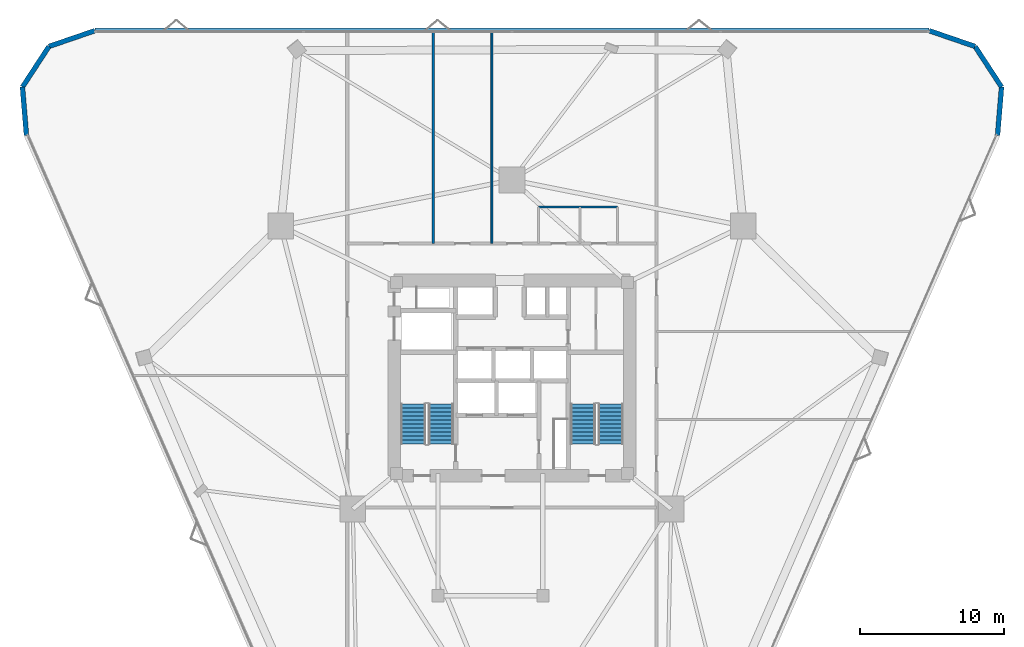
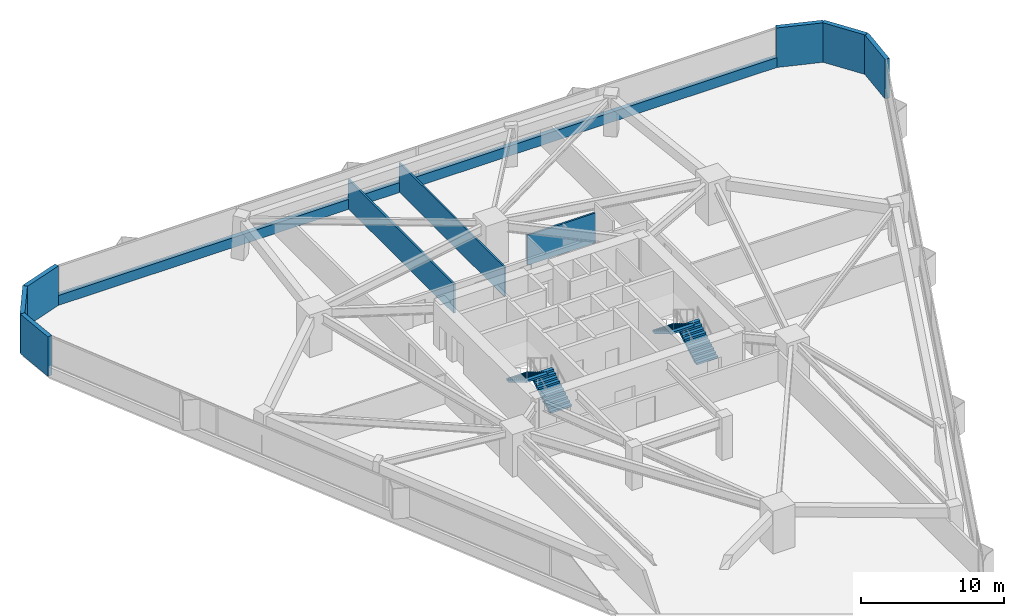
# One storey, part 19 of 20: 10 walls, 4 stair flights, 2 elements without a shape of their own.
"""IFC4 building model written with IfcOpenShell, lengths in metres."""

from ifc_helpers import new_model, si_unit, direction, frame, frame_2d, origin, place, context, subcontext, project, spatial, polyline, rectangle, outline, extrude, material, layer, layer_set, type_object, element, aggregate, save


model = new_model("IFC4")

# Units and contexts
model_context = context("Model", 3, precision=1e-05, world=origin(), true_north=direction((0.0, 1.0)))
body_context = subcontext(model_context, "Body", "Model", "MODEL_VIEW")
ifc_project = project(units=[si_unit("LENGTHUNIT", "METRE"), si_unit("AREAUNIT", "SQUARE_METRE"), si_unit("VOLUMEUNIT", "CUBIC_METRE"), si_unit("PLANEANGLEUNIT", "RADIAN"), si_unit("MASSUNIT", "GRAM", prefix="KILO")], contexts=[model_context])

# Site, building, storey
site_placement = place(None, origin())
site = spatial("IfcSite", under=ifc_project, at=site_placement, CompositionType="ELEMENT")
building_placement = place(site_placement, origin())
building = spatial("IfcBuilding", under=site, at=building_placement, Name="Talyreon Biosciences Tower", CompositionType="ELEMENT")
storey_placement = place(building_placement, frame((0.0, 0.0, 41.050048828125)))
storey = spatial("IfcBuildingStorey", under=building, at=storey_placement, Name="L10", CompositionType="ELEMENT", Elevation=41.050048828125)

# Walls
ifc_material_1 = material(Name="Gypsum acoustic stud partition", Category="gypsum")
ifc_layer_1 = layer(ifc_material_1, 0.159912109375)
ifc_layer_set_1 = layer_set([ifc_layer_1], Name="Gypsum acoustic stud partition")
wall_type_1 = type_object("IfcWallType", Name="LabSeparationPartition_160", PredefinedType="PARTITIONING", material=ifc_layer_set_1)
wall_1_placement = place(storey_placement, frame((60.510009765625, 77.3701171875, 0.0), z_axis=(0.0, 0.0, 1.0), x_axis=(0.0, 1.0, 0.0)))
element("IfcWall", 1, at=wall_1_placement, inside=storey, type_object=wall_type_1, Name="L10 Interior Wall IW-L10-NDIV1", PredefinedType="PARTITIONING", context=body_context, shape_type="SweptSolid", body=[
    extrude(rectangle(XDim=14.732421875, YDim=0.159912109375, at=frame_2d((7.3662109375, 0.0))), origin(), (0.0, 0.0, 1.0), 2.5048828125),
])
ifc_layer_2 = layer(ifc_material_1, 0.1298828125)
ifc_layer_set_2 = layer_set([ifc_layer_2], Name="Gypsum acoustic stud partition")
wall_type_2 = type_object("IfcWallType", Name="OfficeWriteupPartition_130", PredefinedType="PARTITIONING", material=ifc_layer_set_2)
wall_2_placement = place(storey_placement, frame((64.60009765625, 77.3701171875, 0.0), z_axis=(0.0, 0.0, 1.0), x_axis=(0.0, 1.0, 0.0)))
element("IfcWall", 2, at=wall_2_placement, inside=storey, type_object=wall_type_2, Name="L10 Interior Wall IW-L10-NDIV2", PredefinedType="PARTITIONING", context=body_context, shape_type="SweptSolid", body=[
    extrude(rectangle(XDim=14.732421875, YDim=0.1298828125, at=frame_2d((7.3662109375, 0.0))), origin(), (0.0, 0.0, 1.0), 2.5048828125),
])
ifc_material_2 = material(Name="Precast concrete C45/55", Category="concrete")
ifc_layer_3 = layer(ifc_material_2, 0.340087890625)
ifc_layer_set_3 = layer_set([ifc_layer_3], Name="Precast concrete C45/55")
wall_type_3 = type_object("IfcWallType", Name="PrecastConcreteSpandrelWall_340", PredefinedType="STANDARD", material=ifc_layer_set_3)
for number, where, z_axis, x_axis, name in (
    (3, (32.19091796875, 84.901123046875, 0.0), (0.0, 0.0, 1.0), (-0.082225515749, 0.996613748932, 0.0), "L10 Rounded-Corner Concrete Pier 01"),
    (4, (31.913330078125, 88.265625, 0.0), (0.0, 0.0, 1.0), (0.547134403386, 0.837044768595, 0.0), "L10 Rounded-Corner Concrete Pier 02"),
):
    element("IfcWall", number, at=place(storey_placement, frame(where, z_axis=z_axis, x_axis=x_axis)), inside=storey, type_object=wall_type_3, Name=name, PredefinedType="STANDARD", context=body_context, shape_type="SweptSolid", body=[
        extrude(rectangle(XDim=3.3759765625, YDim=0.340087890625, at=frame_2d((1.68798828125, 0.0))), origin(), (0.0, 0.0, 1.0), 3.375),
    ])
wall_3_placement = place(storey_placement, frame((33.760498046875, 91.091552734375, 0.0), z_axis=(0.0, 0.0, 1.0), x_axis=(0.945847654718, 0.324610865599, 0.0)))
element("IfcWall", 5, at=wall_3_placement, inside=storey, type_object=wall_type_3, Name="L10 Rounded-Corner Concrete Pier 03", PredefinedType="STANDARD", context=body_context, shape_type="SweptSolid", body=[
    extrude(rectangle(XDim=3.376220703125, YDim=0.340087890625, at=frame_2d((1.68798828125, 0.0))), origin(), (0.0, 0.0, 1.0), 3.375),
])
wall_4_placement = place(storey_placement, frame((36.953857421875, 92.1875, 0.0), z_axis=(0.0, 0.0, 1.0), x_axis=(1.0, 0.0, 0.0)))
element("IfcWall", 6, at=wall_4_placement, inside=storey, type_object=wall_type_3, Name="L10 Expressed Concrete Sill Wall 04", PredefinedType="STANDARD", context=body_context, shape_type="SweptSolid", body=[
    extrude(rectangle(XDim=58.09228515625, YDim=0.340087890625, at=frame_2d((29.046142578125, 0.0))), origin(), (0.0, 0.0, 1.0), 0.849853515625),
])
wall_5_placement = place(storey_placement, frame((95.046142578125, 92.1875, 0.0), z_axis=(0.0, 0.0, 1.0), x_axis=(0.945847654718, -0.324610865599, 0.0)))
element("IfcWall", 7, at=wall_5_placement, inside=storey, type_object=wall_type_3, Name="L10 Rounded-Corner Concrete Pier 05", PredefinedType="STANDARD", context=body_context, shape_type="SweptSolid", body=[
    extrude(rectangle(XDim=3.376220703125, YDim=0.340087890625, at=frame_2d((1.68798828125, 0.0))), origin(), (0.0, 0.0, 1.0), 3.375),
])
for number, where, z_axis, x_axis, name in (
    (8, (98.239501953125, 91.091552734375, 0.0), (0.0, 0.0, 1.0), (0.547134403386, -0.837044768595, 0.0), "L10 Rounded-Corner Concrete Pier 06"),
    (9, (100.086669921875, 88.265625, 0.0), (0.0, 0.0, 1.0), (-0.082225515749, -0.996613748932, 0.0), "L10 Rounded-Corner Concrete Pier 07"),
):
    element("IfcWall", number, at=place(storey_placement, frame(where, z_axis=z_axis, x_axis=x_axis)), inside=storey, type_object=wall_type_3, Name=name, PredefinedType="STANDARD", context=body_context, shape_type="SweptSolid", body=[
        extrude(rectangle(XDim=3.3759765625, YDim=0.340087890625, at=frame_2d((1.68798828125, 0.0))), origin(), (0.0, 0.0, 1.0), 3.375),
    ])
ifc_material_3 = material(Name="Moisture-resistant cement-board stud", Category="gypsum")
ifc_layer_4 = layer(ifc_material_3, 0.14501953125)
ifc_layer_set_4 = layer_set([ifc_layer_4], Name="Moisture-resistant cement-board stud")
wall_type_4 = type_object("IfcWallType", Name="WetRoomPartition_145", PredefinedType="PARTITIONING", material=ifc_layer_set_4)
wall_6_placement = place(storey_placement, frame((67.85009765625, 79.919921875, 0.0), z_axis=(0.0, 0.0, 1.0), x_axis=(1.0, 0.0, 0.0)))
element("IfcWall", 10, at=wall_6_placement, inside=storey, type_object=wall_type_4, Name="L10 Interior Wall IW-L10-WCT", PredefinedType="PARTITIONING", context=body_context, shape_type="SweptSolid", body=[
    extrude(rectangle(XDim=5.5, YDim=0.14501953125, at=frame_2d((2.75, 0.0))), origin(), (0.0, 0.0, 1.0), 2.554931640625),
])

# Stair, stair flights
ifc_material_4 = material(Name="Concrete C40/50", Category="concrete")
stair_type = type_object("IfcStairType", Name="DoglegEscapeStair_3650", PredefinedType="HALF_TURN_STAIR", material=ifc_material_4)
stair_1_placement = place(storey_placement, origin())
stair_1 = element("IfcStair", 11, at=stair_1_placement, inside=storey, type_object=stair_type, Name="L10 Core Escape Stair 1", PredefinedType="HALF_TURN_STAIR")
stair_flight_type = type_object("IfcStairFlightType", Name="PrecastStairFlight_3650", PredefinedType="STRAIGHT", material=ifc_material_4)
stair_flight_1_placement = place(storey_placement, frame((61.06005859375, 63.39990234375, 0.0), z_axis=(0.0, 0.0, 1.0), x_axis=(0.0, 1.0, 0.0)))
stair_flight_1 = element("IfcStairFlight", 12, at=stair_flight_1_placement, type_object=stair_flight_type, Name="ST-1 flight 1", NumberOfRisers=11, NumberOfTreads=10, PredefinedType="STRAIGHT", RiserHeight=0.165909091, TreadLength=0.28, context=body_context, shape_type="SweptSolid", body=[
    extrude(outline(polyline([(0.0, 0.0), (0.0, 0.166015625), (0.280029296875, 0.166015625), (0.280029296875, 0.331787109375), (0.56005859375, 0.331787109375), (0.56005859375, 0.497802734375), (0.840087890625, 0.497802734375), (0.840087890625, 0.66357421875), (1.1201171875, 0.66357421875), (1.1201171875, 0.82958984375), (1.39990234375, 0.82958984375), (1.39990234375, 0.995361328125), (1.679931640625, 0.995361328125), (1.679931640625, 1.161376953125), (1.9599609375, 1.161376953125), (1.9599609375, 1.327392578125), (2.239990234375, 1.327392578125), (2.239990234375, 1.4931640625), (2.52001953125, 1.4931640625), (2.52001953125, 1.6591796875), (2.800048828125, 1.6591796875), (2.800048828125, 1.824951171875), (2.800048828125, 1.48486328125), (0.2939453125, 0.0), (0.0, 0.0)])), frame((0.0, 0.8701171875, 0.0), z_axis=(0.0, -1.0, 0.0), x_axis=(1.0, 0.0, 0.0)), (0.0, 0.0, 1.0), 1.739990234375),
])
stair_flight_2_placement = place(storey_placement, frame((59.1201171875, 66.199951171875, 1.824951171875), z_axis=(0.0, 0.0, 1.0), x_axis=(0.0, -1.0, 0.0)))
stair_flight_2 = element("IfcStairFlight", 13, at=stair_flight_2_placement, type_object=stair_flight_type, Name="ST-1 flight 2", NumberOfRisers=11, NumberOfTreads=10, PredefinedType="STRAIGHT", RiserHeight=0.165909091, TreadLength=0.28, context=body_context, shape_type="SweptSolid", body=[
    extrude(outline(polyline([(0.0, 0.0), (0.0, 0.166015625), (0.280029296875, 0.166015625), (0.280029296875, 0.331787109375), (0.56005859375, 0.331787109375), (0.56005859375, 0.497802734375), (0.840087890625, 0.497802734375), (0.840087890625, 0.66357421875), (1.1201171875, 0.66357421875), (1.1201171875, 0.82958984375), (1.39990234375, 0.82958984375), (1.39990234375, 0.995361328125), (1.679931640625, 0.995361328125), (1.679931640625, 1.161376953125), (1.9599609375, 1.161376953125), (1.9599609375, 1.327392578125), (2.239990234375, 1.327392578125), (2.239990234375, 1.4931640625), (2.52001953125, 1.4931640625), (2.52001953125, 1.6591796875), (2.800048828125, 1.6591796875), (2.800048828125, 1.824951171875), (2.800048828125, 1.48486328125), (0.2939453125, 0.0), (0.0, 0.0)])), frame((0.0, 0.8701171875, 0.0), z_axis=(0.0, -1.0, 0.0), x_axis=(1.0, 0.0, 0.0)), (0.0, 0.0, 1.0), 1.739990234375),
])
aggregate(stair_1, [stair_flight_1, stair_flight_2])

stair_2_placement = place(storey_placement, origin())
stair_2 = element("IfcStair", 14, at=stair_2_placement, inside=storey, type_object=stair_type, Name="L10 Core Escape Stair 2", PredefinedType="HALF_TURN_STAIR")
stair_flight_3_placement = place(storey_placement, frame((72.8798828125, 63.39990234375, 0.0), z_axis=(0.0, 0.0, 1.0), x_axis=(0.0, 1.0, 0.0)))
stair_flight_3 = element("IfcStairFlight", 15, at=stair_flight_3_placement, type_object=stair_flight_type, Name="ST-2 flight 1", NumberOfRisers=11, NumberOfTreads=10, PredefinedType="STRAIGHT", RiserHeight=0.165909091, TreadLength=0.28, context=body_context, shape_type="SweptSolid", body=[
    extrude(outline(polyline([(0.0, 0.0), (0.0, 0.166015625), (0.280029296875, 0.166015625), (0.280029296875, 0.331787109375), (0.56005859375, 0.331787109375), (0.56005859375, 0.497802734375), (0.840087890625, 0.497802734375), (0.840087890625, 0.66357421875), (1.1201171875, 0.66357421875), (1.1201171875, 0.82958984375), (1.39990234375, 0.82958984375), (1.39990234375, 0.995361328125), (1.679931640625, 0.995361328125), (1.679931640625, 1.161376953125), (1.9599609375, 1.161376953125), (1.9599609375, 1.327392578125), (2.239990234375, 1.327392578125), (2.239990234375, 1.4931640625), (2.52001953125, 1.4931640625), (2.52001953125, 1.6591796875), (2.800048828125, 1.6591796875), (2.800048828125, 1.824951171875), (2.800048828125, 1.48486328125), (0.2939453125, 0.0), (0.0, 0.0)])), frame((0.0, 0.8701171875, 0.0), z_axis=(0.0, -1.0, 0.0), x_axis=(1.0, 0.0, 0.0)), (0.0, 0.0, 1.0), 1.739990234375),
])
stair_flight_4_placement = place(storey_placement, frame((70.93994140625, 66.199951171875, 1.824951171875), z_axis=(0.0, 0.0, 1.0), x_axis=(0.0, -1.0, 0.0)))
stair_flight_4 = element("IfcStairFlight", 16, at=stair_flight_4_placement, type_object=stair_flight_type, Name="ST-2 flight 2", NumberOfRisers=11, NumberOfTreads=10, PredefinedType="STRAIGHT", RiserHeight=0.165909091, TreadLength=0.28, context=body_context, shape_type="SweptSolid", body=[
    extrude(outline(polyline([(0.0, 0.0), (0.0, 0.166015625), (0.280029296875, 0.166015625), (0.280029296875, 0.331787109375), (0.56005859375, 0.331787109375), (0.56005859375, 0.497802734375), (0.840087890625, 0.497802734375), (0.840087890625, 0.66357421875), (1.1201171875, 0.66357421875), (1.1201171875, 0.82958984375), (1.39990234375, 0.82958984375), (1.39990234375, 0.995361328125), (1.679931640625, 0.995361328125), (1.679931640625, 1.161376953125), (1.9599609375, 1.161376953125), (1.9599609375, 1.327392578125), (2.239990234375, 1.327392578125), (2.239990234375, 1.4931640625), (2.52001953125, 1.4931640625), (2.52001953125, 1.6591796875), (2.800048828125, 1.6591796875), (2.800048828125, 1.824951171875), (2.800048828125, 1.48486328125), (0.2939453125, 0.0), (0.0, 0.0)])), frame((0.0, 0.8701171875, 0.0), z_axis=(0.0, -1.0, 0.0), x_axis=(1.0, 0.0, 0.0)), (0.0, 0.0, 1.0), 1.739990234375),
])
aggregate(stair_2, [stair_flight_3, stair_flight_4])

save(model, "model.ifc")
